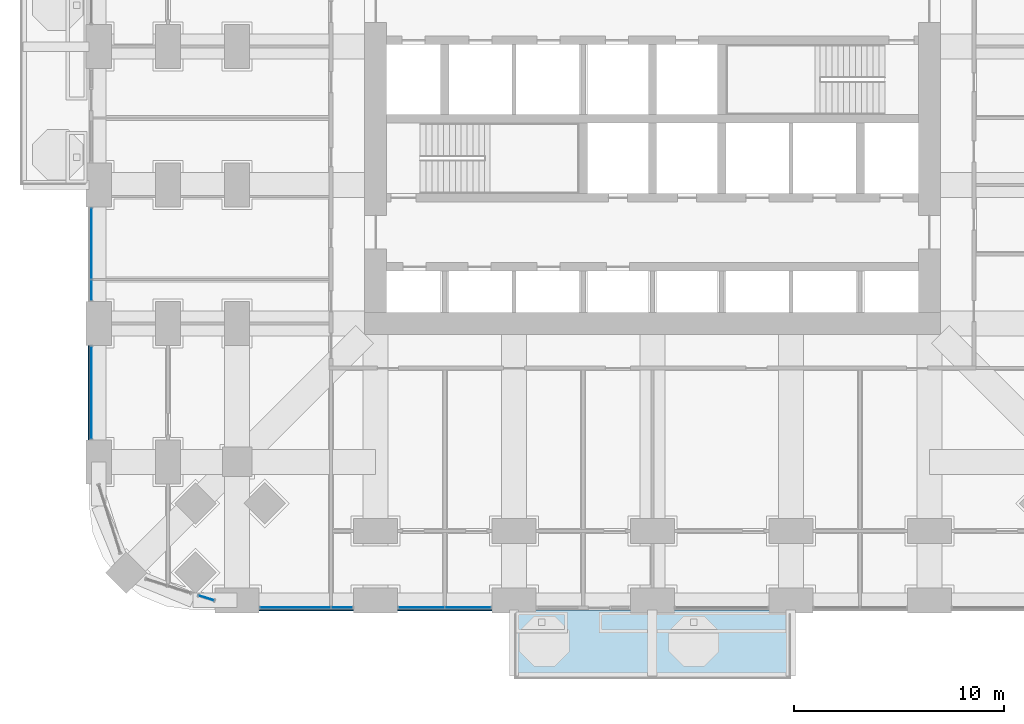
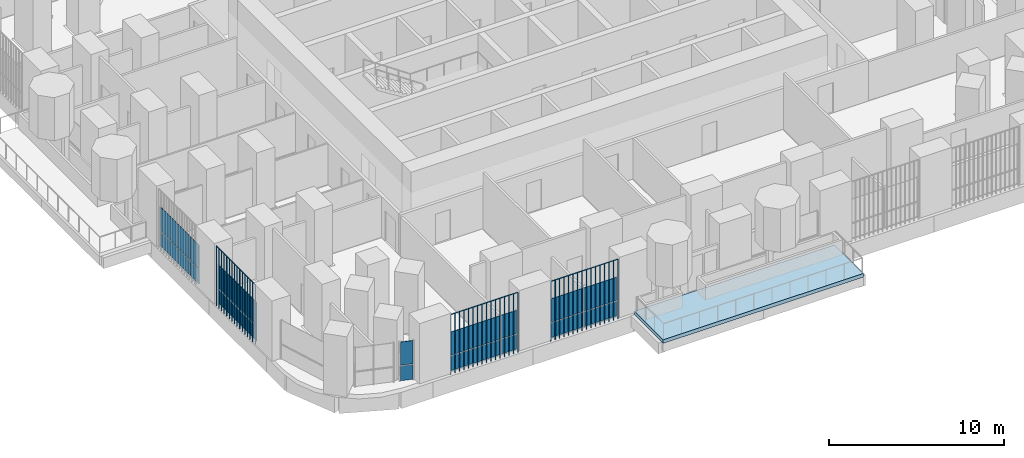
# One storey, part 11 of 26: 19 plates, 1 slab, 5 elements without a shape of their own.
"""IFC4 building model written with IfcOpenShell, lengths in metres."""

from ifc_helpers import new_model, si_unit, direction, frame, origin, origin_2d, place, context, subcontext, project, spatial, polyline, rectangle, outline, extrude, material, layer, layer_set, type_object, element, aggregate, save


model = new_model("IFC4")

# Units and contexts
model_context = context("Model", 3, precision=1e-05, world=origin(), true_north=direction((0.0, 1.0)))
body_context = subcontext(model_context, "Body", "Model", "MODEL_VIEW")
ifc_project = project(units=[si_unit("LENGTHUNIT", "METRE"), si_unit("AREAUNIT", "SQUARE_METRE"), si_unit("VOLUMEUNIT", "CUBIC_METRE"), si_unit("PLANEANGLEUNIT", "RADIAN"), si_unit("MASSUNIT", "GRAM", prefix="KILO")], contexts=[model_context])

# Site, building, storey
site_placement = place(None, origin())
site = spatial("IfcSite", under=ifc_project, at=site_placement, CompositionType="ELEMENT")
building_placement = place(site_placement, origin())
building = spatial("IfcBuilding", under=site, at=building_placement, Name="Cobogo Forest Laboratory Tower", CompositionType="ELEMENT")
storey_placement = place(building_placement, frame((0.0, 0.0, 33.89990234375)))
storey = spatial("IfcBuildingStorey", under=building, at=storey_placement, Name="L07", CompositionType="ELEMENT", Elevation=33.89990234375)

# Slab
ifc_material_1 = material(Name="Concrete HA-40 (C40/50)", Category="concrete")
ifc_layer_1 = layer(ifc_material_1, 0.25)
ifc_layer_set_1 = layer_set([ifc_layer_1], Name="Balcony slab 250")
slab_type = type_object("IfcSlabType", Name="Balcony slab 250", PredefinedType="FLOOR", material=ifc_layer_set_1)
slab_placement = place(storey_placement, frame((0.0, 0.0, -0.25)))
element("IfcSlab", 1, at=slab_placement, inside=storey, type_object=slab_type, Name="Balcony BAL-S1 L07", PredefinedType="FLOOR", context=body_context, shape_type="SweptSolid", body=[
    extrude(outline(polyline([(19.800048828125, -3.75), (33.0, -3.75), (33.0, -0.449951171875), (19.800048828125, -0.449951171875), (19.800048828125, -3.75)])), origin(), (0.0, 0.0, 1.0), 0.25),
])

# Curtain wall, plates
ifc_material_2 = material(Name="Aluminium curtain wall", Category="aluminium")
curtain_wall_type = type_object("IfcCurtainWallType", Name="CW-1 unitised curtain wall, clear glazing, laboratory floors zones A and B", PredefinedType="USERDEFINED", material=ifc_material_2)
curtain_wall_1_placement = place(storey_placement, origin())
curtain_wall_1 = element("IfcCurtainWall", 2, at=curtain_wall_1_placement, inside=storey, type_object=curtain_wall_type, Name="Curtain wall 01 L07", ObjectType="UNITISED CURTAIN WALL", PredefinedType="USERDEFINED")
ifc_material_3 = material(Name="Clear insulated glass", Category="glass")
ifc_layer_2 = layer(ifc_material_3, 0.028076171875)
ifc_layer_set_2 = layer_set([ifc_layer_2], Name="GP-1 clear insulated glass unit 28")
plate_type_1 = type_object("IfcPlateType", Name="GP-1 clear insulated glass unit 28", PredefinedType="CURTAIN_PANEL", material=ifc_layer_set_2)
plate_1_placement = place(storey_placement, frame((9.37744140625, -0.35009765625, 0.0), z_axis=(0.0, 0.0, 1.0), x_axis=(1.0, 0.0, 0.0)))
plate_1 = element("IfcPlate", 3, at=plate_1_placement, type_object=plate_type_1, Name="CW-1 panel 1.1", PredefinedType="CURTAIN_PANEL", context=body_context, shape_type="SweptSolid", body=[
    extrude(rectangle(XDim=3.3349609375, YDim=0.028076171875, at=origin_2d()), origin(), (0.0, 0.0, 1.0), 1.02001953125),
])
plate_2_placement = place(storey_placement, frame((9.37744140625, -0.35009765625, 1.080078125), z_axis=(0.0, 0.0, 1.0), x_axis=(1.0, 0.0, 0.0)))
plate_2 = element("IfcPlate", 4, at=plate_2_placement, type_object=plate_type_1, Name="CW-1 panel 1.2", PredefinedType="CURTAIN_PANEL", context=body_context, shape_type="SweptSolid", body=[
    extrude(rectangle(XDim=3.3349609375, YDim=0.028076171875, at=origin_2d()), origin(), (0.0, 0.0, 1.0), 1.6201171875),
])
plate_3_placement = place(storey_placement, frame((11.597412109375, -0.35009765625, 0.0), z_axis=(0.0, 0.0, 1.0), x_axis=(1.0, 0.0, 0.0)))
plate_3 = element("IfcPlate", 5, at=plate_3_placement, type_object=plate_type_1, Name="CW-1 panel 2.1", PredefinedType="CURTAIN_PANEL", context=body_context, shape_type="SweptSolid", body=[
    extrude(rectangle(XDim=0.985107421875, YDim=0.028076171875, at=origin_2d()), origin(), (0.0, 0.0, 1.0), 1.02001953125),
])
plate_4_placement = place(storey_placement, frame((11.597412109375, -0.35009765625, 1.080078125), z_axis=(0.0, 0.0, 1.0), x_axis=(1.0, 0.0, 0.0)))
plate_4 = element("IfcPlate", 6, at=plate_4_placement, type_object=plate_type_1, Name="CW-1 panel 2.2", PredefinedType="CURTAIN_PANEL", context=body_context, shape_type="SweptSolid", body=[
    extrude(rectangle(XDim=0.985107421875, YDim=0.028076171875, at=origin_2d()), origin(), (0.0, 0.0, 1.0), 1.6201171875),
])
aggregate(curtain_wall_1, [plate_1, plate_2, plate_3, plate_4])

curtain_wall_2_placement = place(storey_placement, origin())
curtain_wall_2 = element("IfcCurtainWall", 7, at=curtain_wall_2_placement, inside=storey, type_object=curtain_wall_type, Name="Curtain wall 02 L07", ObjectType="UNITISED CURTAIN WALL", PredefinedType="USERDEFINED")
plate_5_placement = place(storey_placement, frame((15.389892578125, -0.35009765625, 0.0), z_axis=(0.0, 0.0, 1.0), x_axis=(1.0, 0.0, 0.0)))
plate_5 = element("IfcPlate", 8, at=plate_5_placement, type_object=plate_type_1, Name="CW-1 panel 1.1", PredefinedType="CURTAIN_PANEL", context=body_context, shape_type="SweptSolid", body=[
    extrude(rectangle(XDim=2.159912109375, YDim=0.028076171875, at=origin_2d()), origin(), (0.0, 0.0, 1.0), 1.02001953125),
])
plate_6_placement = place(storey_placement, frame((15.389892578125, -0.35009765625, 1.080078125), z_axis=(0.0, 0.0, 1.0), x_axis=(1.0, 0.0, 0.0)))
plate_6 = element("IfcPlate", 9, at=plate_6_placement, type_object=plate_type_1, Name="CW-1 panel 1.2", PredefinedType="CURTAIN_PANEL", context=body_context, shape_type="SweptSolid", body=[
    extrude(rectangle(XDim=2.159912109375, YDim=0.028076171875, at=origin_2d()), origin(), (0.0, 0.0, 1.0), 1.6201171875),
])
plate_7_placement = place(storey_placement, frame((17.610107421875, -0.35009765625, 0.0), z_axis=(0.0, 0.0, 1.0), x_axis=(1.0, 0.0, 0.0)))
plate_7 = element("IfcPlate", 10, at=plate_7_placement, type_object=plate_type_1, Name="CW-1 panel 2.1", PredefinedType="CURTAIN_PANEL", context=body_context, shape_type="SweptSolid", body=[
    extrude(rectangle(XDim=2.159912109375, YDim=0.028076171875, at=origin_2d()), origin(), (0.0, 0.0, 1.0), 1.02001953125),
])
plate_8_placement = place(storey_placement, frame((17.610107421875, -0.35009765625, 1.080078125), z_axis=(0.0, 0.0, 1.0), x_axis=(1.0, 0.0, 0.0)))
plate_8 = element("IfcPlate", 11, at=plate_8_placement, type_object=plate_type_1, Name="CW-1 panel 2.2", PredefinedType="CURTAIN_PANEL", context=body_context, shape_type="SweptSolid", body=[
    extrude(rectangle(XDim=2.159912109375, YDim=0.028076171875, at=origin_2d()), origin(), (0.0, 0.0, 1.0), 1.6201171875),
])
aggregate(curtain_wall_2, [plate_5, plate_6, plate_7, plate_8])

curtain_wall_3_placement = place(storey_placement, origin())
curtain_wall_3 = element("IfcCurtainWall", 12, at=curtain_wall_3_placement, inside=storey, type_object=curtain_wall_type, Name="Curtain wall 30 L07", ObjectType="UNITISED CURTAIN WALL", PredefinedType="USERDEFINED")
plate_9_placement = place(storey_placement, frame((-0.35009765625, 17.010009765625, 0.0), z_axis=(0.0, 0.0, 1.0), x_axis=(0.0, -1.0, 0.0)))
plate_9 = element("IfcPlate", 13, at=plate_9_placement, type_object=plate_type_1, Name="CW-1 panel 1.1", PredefinedType="CURTAIN_PANEL", context=body_context, shape_type="SweptSolid", body=[
    extrude(rectangle(XDim=3.360107421875, YDim=0.028076171875, at=origin_2d()), origin(), (0.0, 0.0, 1.0), 1.02001953125),
])
plate_10_placement = place(storey_placement, frame((-0.35009765625, 17.010009765625, 1.080078125), z_axis=(0.0, 0.0, 1.0), x_axis=(0.0, -1.0, 0.0)))
plate_10 = element("IfcPlate", 14, at=plate_10_placement, type_object=plate_type_1, Name="CW-1 panel 1.2", PredefinedType="CURTAIN_PANEL", context=body_context, shape_type="SweptSolid", body=[
    extrude(rectangle(XDim=3.360107421875, YDim=0.028076171875, at=origin_2d()), origin(), (0.0, 0.0, 1.0), 1.6201171875),
])
plate_11_placement = place(storey_placement, frame((-0.35009765625, 14.7900390625, 0.0), z_axis=(0.0, 0.0, 1.0), x_axis=(0.0, -1.0, 0.0)))
plate_11 = element("IfcPlate", 15, at=plate_11_placement, type_object=plate_type_1, Name="CW-1 panel 2.1", PredefinedType="CURTAIN_PANEL", context=body_context, shape_type="SweptSolid", body=[
    extrude(rectangle(XDim=0.9599609375, YDim=0.028076171875, at=origin_2d()), origin(), (0.0, 0.0, 1.0), 1.02001953125),
])
plate_12_placement = place(storey_placement, frame((-0.35009765625, 14.7900390625, 1.080078125), z_axis=(0.0, 0.0, 1.0), x_axis=(0.0, -1.0, 0.0)))
plate_12 = element("IfcPlate", 16, at=plate_12_placement, type_object=plate_type_1, Name="CW-1 panel 2.2", PredefinedType="CURTAIN_PANEL", context=body_context, shape_type="SweptSolid", body=[
    extrude(rectangle(XDim=0.9599609375, YDim=0.028076171875, at=origin_2d()), origin(), (0.0, 0.0, 1.0), 1.6201171875),
])
aggregate(curtain_wall_3, [plate_9, plate_10, plate_11, plate_12])

curtain_wall_4_placement = place(storey_placement, origin())
curtain_wall_4 = element("IfcCurtainWall", 17, at=curtain_wall_4_placement, inside=storey, type_object=curtain_wall_type, Name="Curtain wall 31 L07", ObjectType="UNITISED CURTAIN WALL", PredefinedType="USERDEFINED")
plate_13_placement = place(storey_placement, frame((-0.35009765625, 9.89990234375, 0.0), z_axis=(0.0, 0.0, 1.0), x_axis=(0.0, -1.0, 0.0)))
plate_13 = element("IfcPlate", 18, at=plate_13_placement, type_object=plate_type_1, Name="CW-1 panel 1.1", PredefinedType="CURTAIN_PANEL", context=body_context, shape_type="SweptSolid", body=[
    extrude(rectangle(XDim=4.3798828125, YDim=0.028076171875, at=origin_2d()), origin(), (0.0, 0.0, 1.0), 1.02001953125),
])
plate_14_placement = place(storey_placement, frame((-0.35009765625, 9.89990234375, 1.080078125), z_axis=(0.0, 0.0, 1.0), x_axis=(0.0, -1.0, 0.0)))
plate_14 = element("IfcPlate", 19, at=plate_14_placement, type_object=plate_type_1, Name="CW-1 panel 1.2", PredefinedType="CURTAIN_PANEL", context=body_context, shape_type="SweptSolid", body=[
    extrude(rectangle(XDim=4.3798828125, YDim=0.028076171875, at=origin_2d()), origin(), (0.0, 0.0, 1.0), 1.6201171875),
])
aggregate(curtain_wall_4, [plate_13, plate_14])

curtain_wall_5_placement = place(storey_placement, origin())
curtain_wall_5 = element("IfcCurtainWall", 20, at=curtain_wall_5_placement, inside=storey, type_object=curtain_wall_type, Name="Curtain wall 34 L07", ObjectType="UNITISED CURTAIN WALL", PredefinedType="USERDEFINED")
plate_15_placement = place(storey_placement, frame((5.134033203125, 0.113037109375, 0.0), z_axis=(0.0, 0.0, 1.0), x_axis=(0.953581504428, -0.301135043481, 0.0)))
plate_15 = element("IfcPlate", 21, at=plate_15_placement, type_object=plate_type_1, Name="CW-1 panel 1.1", PredefinedType="CURTAIN_PANEL", context=body_context, shape_type="SweptSolid", body=[
    extrude(rectangle(XDim=0.75244140625, YDim=0.028076171875, at=origin_2d()), origin(), (0.0, 0.0, 1.0), 1.02001953125),
])
plate_16_placement = place(storey_placement, frame((5.134033203125, 0.113037109375, 1.080078125), z_axis=(0.0, 0.0, 1.0), x_axis=(0.953581504428, -0.301135043481, 0.0)))
plate_16 = element("IfcPlate", 22, at=plate_16_placement, type_object=plate_type_1, Name="CW-1 panel 1.2", PredefinedType="CURTAIN_PANEL", context=body_context, shape_type="SweptSolid", body=[
    extrude(rectangle(XDim=0.75244140625, YDim=0.028076171875, at=origin_2d()), origin(), (0.0, 0.0, 1.0), 1.6201171875),
])
aggregate(curtain_wall_5, [plate_15, plate_16])

# Plates
ifc_material_4 = material(Name="Terracotta", Category="masonry")
plate_type_2 = type_object("IfcPlateType", Name="TB1 terracotta baguette screen", PredefinedType="USERDEFINED", material=ifc_material_4)
plate_17_placement = place(storey_placement, frame((7.68115234375, -0.477783203125, -0.14990234375)))
element("IfcPlate", 23, at=plate_17_placement, inside=storey, type_object=plate_type_2, Name="Baguette screen S1 L07", ObjectType="BAGUETTE SCREEN", PredefinedType="USERDEFINED", context=body_context, shape_type="SweptSolid", body=[
    extrude(outline(polyline([(0.02880859375, 0.011962890625), (0.011962890625, 0.02880859375), (-0.011962890625, 0.02880859375), (-0.02880859375, 0.011962890625), (-0.02880859375, -0.011962890625), (-0.011962890625, -0.02880859375), (0.011962890625, -0.02880859375), (0.02880859375, -0.011962890625), (0.02880859375, 0.011962890625)])), frame((0.0, 0.0, 4.168701171875), z_axis=(1.0, 0.0, 0.0), x_axis=(0.0, 1.0, 0.0)), (0.0, 0.0, 1.0), 4.4375),
    extrude(outline(polyline([(0.02880859375, 0.011962890625), (0.011962890625, 0.02880859375), (-0.011962890625, 0.02880859375), (-0.02880859375, 0.011962890625), (-0.02880859375, -0.011962890625), (-0.011962890625, -0.02880859375), (0.011962890625, -0.02880859375), (0.02880859375, -0.011962890625), (0.02880859375, 0.011962890625)])), origin(), (0.0, 0.0, 1.0), 4.137451171875),
    extrude(outline(polyline([(0.02880859375, 0.011962890625), (0.011962890625, 0.02880859375), (-0.011962890625, 0.02880859375), (-0.02880859375, 0.011962890625), (-0.02880859375, -0.011962890625), (-0.011962890625, -0.02880859375), (0.011962890625, -0.02880859375), (0.02880859375, -0.011962890625), (0.02880859375, 0.011962890625)])), frame((0.2958984375, 0.0, 0.0)), (0.0, 0.0, 1.0), 4.137451171875),
    extrude(outline(polyline([(0.02880859375, 0.011962890625), (0.011962890625, 0.02880859375), (-0.011962890625, 0.02880859375), (-0.02880859375, 0.011962890625), (-0.02880859375, -0.011962890625), (-0.011962890625, -0.02880859375), (0.011962890625, -0.02880859375), (0.02880859375, -0.011962890625), (0.02880859375, 0.011962890625)])), frame((0.591552734375, 0.0, 0.0)), (0.0, 0.0, 1.0), 4.137451171875),
    extrude(outline(polyline([(0.02880859375, 0.011962890625), (0.011962890625, 0.02880859375), (-0.011962890625, 0.02880859375), (-0.02880859375, 0.011962890625), (-0.02880859375, -0.011962890625), (-0.011962890625, -0.02880859375), (0.011962890625, -0.02880859375), (0.02880859375, -0.011962890625), (0.02880859375, 0.011962890625)])), frame((0.887451171875, 0.0, 0.0)), (0.0, 0.0, 1.0), 4.137451171875),
    extrude(outline(polyline([(0.02880859375, 0.011962890625), (0.011962890625, 0.02880859375), (-0.011962890625, 0.02880859375), (-0.02880859375, 0.011962890625), (-0.02880859375, -0.011962890625), (-0.011962890625, -0.02880859375), (0.011962890625, -0.02880859375), (0.02880859375, -0.011962890625), (0.02880859375, 0.011962890625)])), frame((1.183349609375, 0.0, 0.0)), (0.0, 0.0, 1.0), 4.137451171875),
    extrude(outline(polyline([(0.02880859375, 0.011962890625), (0.011962890625, 0.02880859375), (-0.011962890625, 0.02880859375), (-0.02880859375, 0.011962890625), (-0.02880859375, -0.011962890625), (-0.011962890625, -0.02880859375), (0.011962890625, -0.02880859375), (0.02880859375, -0.011962890625), (0.02880859375, 0.011962890625)])), frame((1.479248046875, 0.0, 0.0)), (0.0, 0.0, 1.0), 4.137451171875),
    extrude(outline(polyline([(0.02880859375, 0.011962890625), (0.011962890625, 0.02880859375), (-0.011962890625, 0.02880859375), (-0.02880859375, 0.011962890625), (-0.02880859375, -0.011962890625), (-0.011962890625, -0.02880859375), (0.011962890625, -0.02880859375), (0.02880859375, -0.011962890625), (0.02880859375, 0.011962890625)])), frame((1.77490234375, 0.0, 0.0)), (0.0, 0.0, 1.0), 4.137451171875),
    extrude(outline(polyline([(0.02880859375, 0.011962890625), (0.011962890625, 0.02880859375), (-0.011962890625, 0.02880859375), (-0.02880859375, 0.011962890625), (-0.02880859375, -0.011962890625), (-0.011962890625, -0.02880859375), (0.011962890625, -0.02880859375), (0.02880859375, -0.011962890625), (0.02880859375, 0.011962890625)])), frame((2.07080078125, 0.0, 0.0)), (0.0, 0.0, 1.0), 4.137451171875),
    extrude(outline(polyline([(0.02880859375, 0.011962890625), (0.011962890625, 0.02880859375), (-0.011962890625, 0.02880859375), (-0.02880859375, 0.011962890625), (-0.02880859375, -0.011962890625), (-0.011962890625, -0.02880859375), (0.011962890625, -0.02880859375), (0.02880859375, -0.011962890625), (0.02880859375, 0.011962890625)])), frame((2.36669921875, 0.0, 0.0)), (0.0, 0.0, 1.0), 4.137451171875),
    extrude(outline(polyline([(0.02880859375, 0.011962890625), (0.011962890625, 0.02880859375), (-0.011962890625, 0.02880859375), (-0.02880859375, 0.011962890625), (-0.02880859375, -0.011962890625), (-0.011962890625, -0.02880859375), (0.011962890625, -0.02880859375), (0.02880859375, -0.011962890625), (0.02880859375, 0.011962890625)])), frame((2.66259765625, 0.0, 0.0)), (0.0, 0.0, 1.0), 4.137451171875),
    extrude(outline(polyline([(0.02880859375, 0.011962890625), (0.011962890625, 0.02880859375), (-0.011962890625, 0.02880859375), (-0.02880859375, 0.011962890625), (-0.02880859375, -0.011962890625), (-0.011962890625, -0.02880859375), (0.011962890625, -0.02880859375), (0.02880859375, -0.011962890625), (0.02880859375, 0.011962890625)])), frame((2.958251953125, 0.0, 0.0)), (0.0, 0.0, 1.0), 4.137451171875),
    extrude(outline(polyline([(0.02880859375, 0.011962890625), (0.011962890625, 0.02880859375), (-0.011962890625, 0.02880859375), (-0.02880859375, 0.011962890625), (-0.02880859375, -0.011962890625), (-0.011962890625, -0.02880859375), (0.011962890625, -0.02880859375), (0.02880859375, -0.011962890625), (0.02880859375, 0.011962890625)])), frame((3.254150390625, 0.0, 0.0)), (0.0, 0.0, 1.0), 4.137451171875),
    extrude(outline(polyline([(0.02880859375, 0.011962890625), (0.011962890625, 0.02880859375), (-0.011962890625, 0.02880859375), (-0.02880859375, 0.011962890625), (-0.02880859375, -0.011962890625), (-0.011962890625, -0.02880859375), (0.011962890625, -0.02880859375), (0.02880859375, -0.011962890625), (0.02880859375, 0.011962890625)])), frame((3.550048828125, 0.0, 0.0)), (0.0, 0.0, 1.0), 4.137451171875),
    extrude(outline(polyline([(0.02880859375, 0.011962890625), (0.011962890625, 0.02880859375), (-0.011962890625, 0.02880859375), (-0.02880859375, 0.011962890625), (-0.02880859375, -0.011962890625), (-0.011962890625, -0.02880859375), (0.011962890625, -0.02880859375), (0.02880859375, -0.011962890625), (0.02880859375, 0.011962890625)])), frame((3.845947265625, 0.0, 0.0)), (0.0, 0.0, 1.0), 4.137451171875),
    extrude(outline(polyline([(0.02880859375, 0.011962890625), (0.011962890625, 0.02880859375), (-0.011962890625, 0.02880859375), (-0.02880859375, 0.011962890625), (-0.02880859375, -0.011962890625), (-0.011962890625, -0.02880859375), (0.011962890625, -0.02880859375), (0.02880859375, -0.011962890625), (0.02880859375, 0.011962890625)])), frame((4.1416015625, 0.0, 0.0)), (0.0, 0.0, 1.0), 4.137451171875),
    extrude(outline(polyline([(0.02880859375, 0.011962890625), (0.011962890625, 0.02880859375), (-0.011962890625, 0.02880859375), (-0.02880859375, 0.011962890625), (-0.02880859375, -0.011962890625), (-0.011962890625, -0.02880859375), (0.011962890625, -0.02880859375), (0.02880859375, -0.011962890625), (0.02880859375, 0.011962890625)])), frame((4.4375, 0.0, 0.0)), (0.0, 0.0, 1.0), 4.137451171875),
])
plate_18_placement = place(storey_placement, frame((14.28125, -0.477783203125, -0.14990234375)))
element("IfcPlate", 24, at=plate_18_placement, inside=storey, type_object=plate_type_2, Name="Baguette screen S2 L07", ObjectType="BAGUETTE SCREEN", PredefinedType="USERDEFINED", context=body_context, shape_type="SweptSolid", body=[
    extrude(outline(polyline([(0.02880859375, 0.011962890625), (0.011962890625, 0.02880859375), (-0.011962890625, 0.02880859375), (-0.02880859375, 0.011962890625), (-0.02880859375, -0.011962890625), (-0.011962890625, -0.02880859375), (0.011962890625, -0.02880859375), (0.02880859375, -0.011962890625), (0.02880859375, 0.011962890625)])), frame((0.0, 0.0, 4.168701171875), z_axis=(1.0, 0.0, 0.0), x_axis=(0.0, 1.0, 0.0)), (0.0, 0.0, 1.0), 4.4375),
    extrude(outline(polyline([(0.02880859375, 0.011962890625), (0.011962890625, 0.02880859375), (-0.011962890625, 0.02880859375), (-0.02880859375, 0.011962890625), (-0.02880859375, -0.011962890625), (-0.011962890625, -0.02880859375), (0.011962890625, -0.02880859375), (0.02880859375, -0.011962890625), (0.02880859375, 0.011962890625)])), origin(), (0.0, 0.0, 1.0), 4.137451171875),
    extrude(outline(polyline([(0.02880859375, 0.011962890625), (0.011962890625, 0.02880859375), (-0.011962890625, 0.02880859375), (-0.02880859375, 0.011962890625), (-0.02880859375, -0.011962890625), (-0.011962890625, -0.02880859375), (0.011962890625, -0.02880859375), (0.02880859375, -0.011962890625), (0.02880859375, 0.011962890625)])), frame((0.2958984375, 0.0, 0.0)), (0.0, 0.0, 1.0), 4.137451171875),
    extrude(outline(polyline([(0.02880859375, 0.011962890625), (0.011962890625, 0.02880859375), (-0.011962890625, 0.02880859375), (-0.02880859375, 0.011962890625), (-0.02880859375, -0.011962890625), (-0.011962890625, -0.02880859375), (0.011962890625, -0.02880859375), (0.02880859375, -0.011962890625), (0.02880859375, 0.011962890625)])), frame((0.591552734375, 0.0, 0.0)), (0.0, 0.0, 1.0), 4.137451171875),
    extrude(outline(polyline([(0.02880859375, 0.011962890625), (0.011962890625, 0.02880859375), (-0.011962890625, 0.02880859375), (-0.02880859375, 0.011962890625), (-0.02880859375, -0.011962890625), (-0.011962890625, -0.02880859375), (0.011962890625, -0.02880859375), (0.02880859375, -0.011962890625), (0.02880859375, 0.011962890625)])), frame((0.887451171875, 0.0, 0.0)), (0.0, 0.0, 1.0), 4.137451171875),
    extrude(outline(polyline([(0.02880859375, 0.011962890625), (0.011962890625, 0.02880859375), (-0.011962890625, 0.02880859375), (-0.02880859375, 0.011962890625), (-0.02880859375, -0.011962890625), (-0.011962890625, -0.02880859375), (0.011962890625, -0.02880859375), (0.02880859375, -0.011962890625), (0.02880859375, 0.011962890625)])), frame((1.183349609375, 0.0, 0.0)), (0.0, 0.0, 1.0), 4.137451171875),
    extrude(outline(polyline([(0.02880859375, 0.011962890625), (0.011962890625, 0.02880859375), (-0.011962890625, 0.02880859375), (-0.02880859375, 0.011962890625), (-0.02880859375, -0.011962890625), (-0.011962890625, -0.02880859375), (0.011962890625, -0.02880859375), (0.02880859375, -0.011962890625), (0.02880859375, 0.011962890625)])), frame((1.479248046875, 0.0, 0.0)), (0.0, 0.0, 1.0), 4.137451171875),
    extrude(outline(polyline([(0.02880859375, 0.011962890625), (0.011962890625, 0.02880859375), (-0.011962890625, 0.02880859375), (-0.02880859375, 0.011962890625), (-0.02880859375, -0.011962890625), (-0.011962890625, -0.02880859375), (0.011962890625, -0.02880859375), (0.02880859375, -0.011962890625), (0.02880859375, 0.011962890625)])), frame((1.77490234375, 0.0, 0.0)), (0.0, 0.0, 1.0), 4.137451171875),
    extrude(outline(polyline([(0.02880859375, 0.011962890625), (0.011962890625, 0.02880859375), (-0.011962890625, 0.02880859375), (-0.02880859375, 0.011962890625), (-0.02880859375, -0.011962890625), (-0.011962890625, -0.02880859375), (0.011962890625, -0.02880859375), (0.02880859375, -0.011962890625), (0.02880859375, 0.011962890625)])), frame((2.07080078125, 0.0, 0.0)), (0.0, 0.0, 1.0), 4.137451171875),
    extrude(outline(polyline([(0.02880859375, 0.011962890625), (0.011962890625, 0.02880859375), (-0.011962890625, 0.02880859375), (-0.02880859375, 0.011962890625), (-0.02880859375, -0.011962890625), (-0.011962890625, -0.02880859375), (0.011962890625, -0.02880859375), (0.02880859375, -0.011962890625), (0.02880859375, 0.011962890625)])), frame((2.36669921875, 0.0, 0.0)), (0.0, 0.0, 1.0), 4.137451171875),
    extrude(outline(polyline([(0.02880859375, 0.011962890625), (0.011962890625, 0.02880859375), (-0.011962890625, 0.02880859375), (-0.02880859375, 0.011962890625), (-0.02880859375, -0.011962890625), (-0.011962890625, -0.02880859375), (0.011962890625, -0.02880859375), (0.02880859375, -0.011962890625), (0.02880859375, 0.011962890625)])), frame((2.66259765625, 0.0, 0.0)), (0.0, 0.0, 1.0), 4.137451171875),
    extrude(outline(polyline([(0.02880859375, 0.011962890625), (0.011962890625, 0.02880859375), (-0.011962890625, 0.02880859375), (-0.02880859375, 0.011962890625), (-0.02880859375, -0.011962890625), (-0.011962890625, -0.02880859375), (0.011962890625, -0.02880859375), (0.02880859375, -0.011962890625), (0.02880859375, 0.011962890625)])), frame((2.958251953125, 0.0, 0.0)), (0.0, 0.0, 1.0), 4.137451171875),
    extrude(outline(polyline([(0.02880859375, 0.011962890625), (0.011962890625, 0.02880859375), (-0.011962890625, 0.02880859375), (-0.02880859375, 0.011962890625), (-0.02880859375, -0.011962890625), (-0.011962890625, -0.02880859375), (0.011962890625, -0.02880859375), (0.02880859375, -0.011962890625), (0.02880859375, 0.011962890625)])), frame((3.254150390625, 0.0, 0.0)), (0.0, 0.0, 1.0), 4.137451171875),
    extrude(outline(polyline([(0.02880859375, 0.011962890625), (0.011962890625, 0.02880859375), (-0.011962890625, 0.02880859375), (-0.02880859375, 0.011962890625), (-0.02880859375, -0.011962890625), (-0.011962890625, -0.02880859375), (0.011962890625, -0.02880859375), (0.02880859375, -0.011962890625), (0.02880859375, 0.011962890625)])), frame((3.550048828125, 0.0, 0.0)), (0.0, 0.0, 1.0), 4.137451171875),
    extrude(outline(polyline([(0.02880859375, 0.011962890625), (0.011962890625, 0.02880859375), (-0.011962890625, 0.02880859375), (-0.02880859375, 0.011962890625), (-0.02880859375, -0.011962890625), (-0.011962890625, -0.02880859375), (0.011962890625, -0.02880859375), (0.02880859375, -0.011962890625), (0.02880859375, 0.011962890625)])), frame((3.845947265625, 0.0, 0.0)), (0.0, 0.0, 1.0), 4.137451171875),
    extrude(outline(polyline([(0.02880859375, 0.011962890625), (0.011962890625, 0.02880859375), (-0.011962890625, 0.02880859375), (-0.02880859375, 0.011962890625), (-0.02880859375, -0.011962890625), (-0.011962890625, -0.02880859375), (0.011962890625, -0.02880859375), (0.02880859375, -0.011962890625), (0.02880859375, 0.011962890625)])), frame((4.1416015625, 0.0, 0.0)), (0.0, 0.0, 1.0), 4.137451171875),
    extrude(outline(polyline([(0.02880859375, 0.011962890625), (0.011962890625, 0.02880859375), (-0.011962890625, 0.02880859375), (-0.02880859375, 0.011962890625), (-0.02880859375, -0.011962890625), (-0.011962890625, -0.02880859375), (0.011962890625, -0.02880859375), (0.02880859375, -0.011962890625), (0.02880859375, 0.011962890625)])), frame((4.4375, 0.0, 0.0)), (0.0, 0.0, 1.0), 4.137451171875),
])
plate_19_placement = place(storey_placement, frame((-0.477783203125, 7.68115234375, -0.14990234375)))
element("IfcPlate", 25, at=plate_19_placement, inside=storey, type_object=plate_type_2, Name="Baguette screen W1 L07", ObjectType="BAGUETTE SCREEN", PredefinedType="USERDEFINED", context=body_context, shape_type="SweptSolid", body=[
    extrude(outline(polyline([(0.02880859375, 0.011962890625), (0.011962890625, 0.02880859375), (-0.011962890625, 0.02880859375), (-0.02880859375, 0.011962890625), (-0.02880859375, -0.011962890625), (-0.011962890625, -0.02880859375), (0.011962890625, -0.02880859375), (0.02880859375, -0.011962890625), (0.02880859375, 0.011962890625)])), frame((0.0, 0.0, 4.168701171875), z_axis=(0.0, 1.0, 0.0), x_axis=(-1.0, 0.0, 0.0)), (0.0, 0.0, 1.0), 4.4375),
    extrude(outline(polyline([(0.02880859375, 0.011962890625), (0.011962890625, 0.02880859375), (-0.011962890625, 0.02880859375), (-0.02880859375, 0.011962890625), (-0.02880859375, -0.011962890625), (-0.011962890625, -0.02880859375), (0.011962890625, -0.02880859375), (0.02880859375, -0.011962890625), (0.02880859375, 0.011962890625)])), origin(), (0.0, 0.0, 1.0), 4.137451171875),
    extrude(outline(polyline([(0.02880859375, 0.011962890625), (0.011962890625, 0.02880859375), (-0.011962890625, 0.02880859375), (-0.02880859375, 0.011962890625), (-0.02880859375, -0.011962890625), (-0.011962890625, -0.02880859375), (0.011962890625, -0.02880859375), (0.02880859375, -0.011962890625), (0.02880859375, 0.011962890625)])), frame((0.0, 0.2958984375, 0.0)), (0.0, 0.0, 1.0), 4.137451171875),
    extrude(outline(polyline([(0.02880859375, 0.011962890625), (0.011962890625, 0.02880859375), (-0.011962890625, 0.02880859375), (-0.02880859375, 0.011962890625), (-0.02880859375, -0.011962890625), (-0.011962890625, -0.02880859375), (0.011962890625, -0.02880859375), (0.02880859375, -0.011962890625), (0.02880859375, 0.011962890625)])), frame((0.0, 0.591552734375, 0.0)), (0.0, 0.0, 1.0), 4.137451171875),
    extrude(outline(polyline([(0.02880859375, 0.011962890625), (0.011962890625, 0.02880859375), (-0.011962890625, 0.02880859375), (-0.02880859375, 0.011962890625), (-0.02880859375, -0.011962890625), (-0.011962890625, -0.02880859375), (0.011962890625, -0.02880859375), (0.02880859375, -0.011962890625), (0.02880859375, 0.011962890625)])), frame((0.0, 0.887451171875, 0.0)), (0.0, 0.0, 1.0), 4.137451171875),
    extrude(outline(polyline([(0.02880859375, 0.011962890625), (0.011962890625, 0.02880859375), (-0.011962890625, 0.02880859375), (-0.02880859375, 0.011962890625), (-0.02880859375, -0.011962890625), (-0.011962890625, -0.02880859375), (0.011962890625, -0.02880859375), (0.02880859375, -0.011962890625), (0.02880859375, 0.011962890625)])), frame((0.0, 1.183349609375, 0.0)), (0.0, 0.0, 1.0), 4.137451171875),
    extrude(outline(polyline([(0.02880859375, 0.011962890625), (0.011962890625, 0.02880859375), (-0.011962890625, 0.02880859375), (-0.02880859375, 0.011962890625), (-0.02880859375, -0.011962890625), (-0.011962890625, -0.02880859375), (0.011962890625, -0.02880859375), (0.02880859375, -0.011962890625), (0.02880859375, 0.011962890625)])), frame((0.0, 1.479248046875, 0.0)), (0.0, 0.0, 1.0), 4.137451171875),
    extrude(outline(polyline([(0.02880859375, 0.011962890625), (0.011962890625, 0.02880859375), (-0.011962890625, 0.02880859375), (-0.02880859375, 0.011962890625), (-0.02880859375, -0.011962890625), (-0.011962890625, -0.02880859375), (0.011962890625, -0.02880859375), (0.02880859375, -0.011962890625), (0.02880859375, 0.011962890625)])), frame((0.0, 1.77490234375, 0.0)), (0.0, 0.0, 1.0), 4.137451171875),
    extrude(outline(polyline([(0.02880859375, 0.011962890625), (0.011962890625, 0.02880859375), (-0.011962890625, 0.02880859375), (-0.02880859375, 0.011962890625), (-0.02880859375, -0.011962890625), (-0.011962890625, -0.02880859375), (0.011962890625, -0.02880859375), (0.02880859375, -0.011962890625), (0.02880859375, 0.011962890625)])), frame((0.0, 2.07080078125, 0.0)), (0.0, 0.0, 1.0), 4.137451171875),
    extrude(outline(polyline([(0.02880859375, 0.011962890625), (0.011962890625, 0.02880859375), (-0.011962890625, 0.02880859375), (-0.02880859375, 0.011962890625), (-0.02880859375, -0.011962890625), (-0.011962890625, -0.02880859375), (0.011962890625, -0.02880859375), (0.02880859375, -0.011962890625), (0.02880859375, 0.011962890625)])), frame((0.0, 2.36669921875, 0.0)), (0.0, 0.0, 1.0), 4.137451171875),
    extrude(outline(polyline([(0.02880859375, 0.011962890625), (0.011962890625, 0.02880859375), (-0.011962890625, 0.02880859375), (-0.02880859375, 0.011962890625), (-0.02880859375, -0.011962890625), (-0.011962890625, -0.02880859375), (0.011962890625, -0.02880859375), (0.02880859375, -0.011962890625), (0.02880859375, 0.011962890625)])), frame((0.0, 2.66259765625, 0.0)), (0.0, 0.0, 1.0), 4.137451171875),
    extrude(outline(polyline([(0.02880859375, 0.011962890625), (0.011962890625, 0.02880859375), (-0.011962890625, 0.02880859375), (-0.02880859375, 0.011962890625), (-0.02880859375, -0.011962890625), (-0.011962890625, -0.02880859375), (0.011962890625, -0.02880859375), (0.02880859375, -0.011962890625), (0.02880859375, 0.011962890625)])), frame((0.0, 2.958251953125, 0.0)), (0.0, 0.0, 1.0), 4.137451171875),
    extrude(outline(polyline([(0.02880859375, 0.011962890625), (0.011962890625, 0.02880859375), (-0.011962890625, 0.02880859375), (-0.02880859375, 0.011962890625), (-0.02880859375, -0.011962890625), (-0.011962890625, -0.02880859375), (0.011962890625, -0.02880859375), (0.02880859375, -0.011962890625), (0.02880859375, 0.011962890625)])), frame((0.0, 3.254150390625, 0.0)), (0.0, 0.0, 1.0), 4.137451171875),
    extrude(outline(polyline([(0.02880859375, 0.011962890625), (0.011962890625, 0.02880859375), (-0.011962890625, 0.02880859375), (-0.02880859375, 0.011962890625), (-0.02880859375, -0.011962890625), (-0.011962890625, -0.02880859375), (0.011962890625, -0.02880859375), (0.02880859375, -0.011962890625), (0.02880859375, 0.011962890625)])), frame((0.0, 3.550048828125, 0.0)), (0.0, 0.0, 1.0), 4.137451171875),
    extrude(outline(polyline([(0.02880859375, 0.011962890625), (0.011962890625, 0.02880859375), (-0.011962890625, 0.02880859375), (-0.02880859375, 0.011962890625), (-0.02880859375, -0.011962890625), (-0.011962890625, -0.02880859375), (0.011962890625, -0.02880859375), (0.02880859375, -0.011962890625), (0.02880859375, 0.011962890625)])), frame((0.0, 3.845947265625, 0.0)), (0.0, 0.0, 1.0), 4.137451171875),
    extrude(outline(polyline([(0.02880859375, 0.011962890625), (0.011962890625, 0.02880859375), (-0.011962890625, 0.02880859375), (-0.02880859375, 0.011962890625), (-0.02880859375, -0.011962890625), (-0.011962890625, -0.02880859375), (0.011962890625, -0.02880859375), (0.02880859375, -0.011962890625), (0.02880859375, 0.011962890625)])), frame((0.0, 4.1416015625, 0.0)), (0.0, 0.0, 1.0), 4.137451171875),
    extrude(outline(polyline([(0.02880859375, 0.011962890625), (0.011962890625, 0.02880859375), (-0.011962890625, 0.02880859375), (-0.02880859375, 0.011962890625), (-0.02880859375, -0.011962890625), (-0.011962890625, -0.02880859375), (0.011962890625, -0.02880859375), (0.02880859375, -0.011962890625), (0.02880859375, 0.011962890625)])), frame((0.0, 4.4375, 0.0)), (0.0, 0.0, 1.0), 4.137451171875),
])

save(model, "model.ifc")
